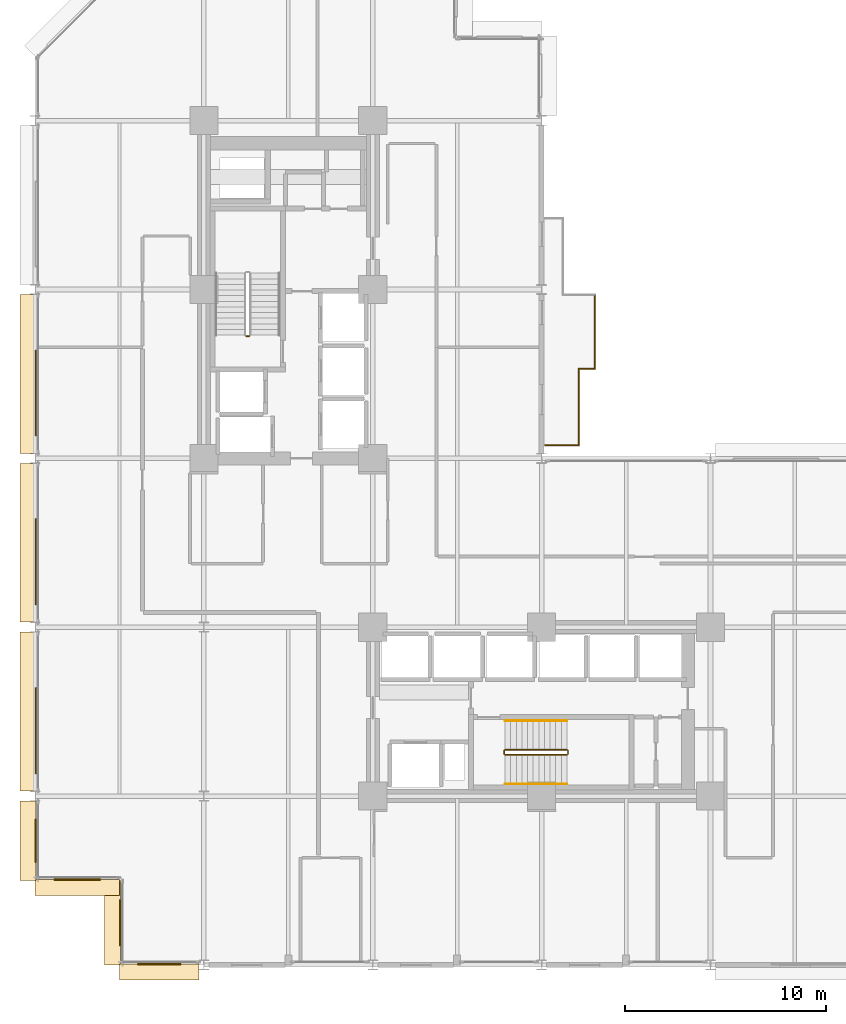
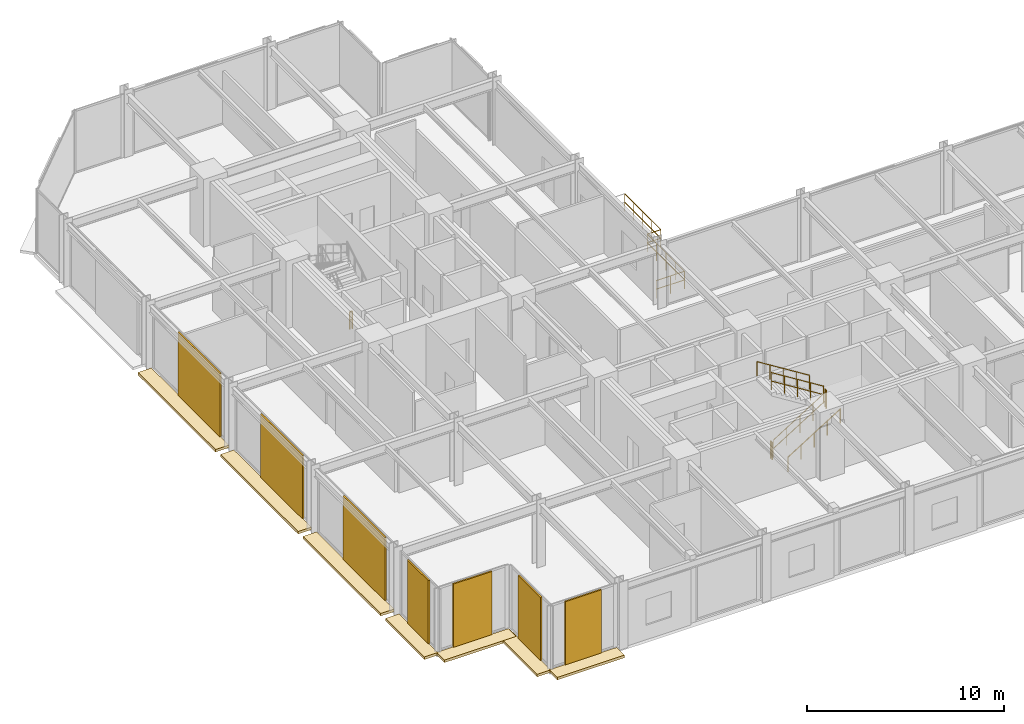
# One storey, part 23 of 25: 14 coverings, 11 railings.
"""IFC4 building model written with IfcOpenShell, lengths in metres."""

from ifc_helpers import new_model, si_unit, direction, frame, origin, origin_2d, place, context, subcontext, project, spatial, polyline, rectangle, circle, outline, extrude, material, layer, layer_set, type_object, element, save


model = new_model("IFC4")

# Units and contexts
model_context = context("Model", 3, precision=1e-05, world=origin(), true_north=direction((0.0, 1.0)))
body_context = subcontext(model_context, "Body", "Model", "MODEL_VIEW")
ifc_project = project(units=[si_unit("LENGTHUNIT", "METRE"), si_unit("AREAUNIT", "SQUARE_METRE"), si_unit("VOLUMEUNIT", "CUBIC_METRE"), si_unit("PLANEANGLEUNIT", "RADIAN"), si_unit("MASSUNIT", "GRAM", prefix="KILO")], contexts=[model_context])

# Site, building, storey
site_placement = place(None, origin())
site = spatial("IfcSite", under=ifc_project, at=site_placement, CompositionType="ELEMENT")
building_placement = place(site_placement, origin())
building = spatial("IfcBuilding", under=site, at=building_placement, Name="Nerrivon Quay Data Exchange", CompositionType="ELEMENT")
storey_placement = place(building_placement, frame((0.0, 0.0, 54.199951171875)))
storey = spatial("IfcBuildingStorey", under=building, at=storey_placement, Name="L12", CompositionType="ELEMENT", Elevation=54.199951171875)

# Coverings
ifc_material_1 = material(Name="Architectural terracotta ceramic", Category="masonry")
ifc_layer_1 = layer(ifc_material_1, 0.159912109375)
ifc_layer_set_1 = layer_set([ifc_layer_1], Name="Architectural terracotta ceramic")
covering_type_1 = type_object("IfcCoveringType", Name="COV-BLD-TERR", PredefinedType="CLADDING", material=ifc_layer_set_1)
covering_1_placement = place(storey_placement, frame((0.0, 0.0, -0.159912109375)))
element("IfcCovering", 1, at=covering_1_placement, inside=storey, type_object=covering_type_1, Name="L12 Horizontal Terracotta SOLAR SCREEN Blade", PredefinedType="CLADDING", context=body_context, shape_type="SweptSolid", body=[
    extrude(outline(polyline([(8.14990234375, 0.0400390625), (4.199951171875, 0.0400390625), (4.199951171875, -0.75), (8.14990234375, -0.75), (8.14990234375, 0.0400390625)])), origin(), (0.0, 0.0, 1.0), 0.159912109375),
])
covering_2_placement = place(storey_placement, frame((0.0, 0.0, -0.159912109375)))
element("IfcCovering", 2, at=covering_2_placement, inside=storey, type_object=covering_type_1, Name="L12 Horizontal Terracotta SOLAR SCREEN Blade", PredefinedType="CLADDING", context=body_context, shape_type="SweptSolid", body=[
    extrude(outline(polyline([(4.239990234375, 0.0), (4.239990234375, 4.199951171875), (3.449951171875, 4.199951171875), (3.449951171875, 0.0), (4.239990234375, 0.0)])), origin(), (0.0, 0.0, 1.0), 0.159912109375),
])
covering_3_placement = place(storey_placement, frame((0.0, 0.0, -0.159912109375)))
element("IfcCovering", 3, at=covering_3_placement, inside=storey, type_object=covering_type_1, Name="L12 Horizontal Terracotta SOLAR SCREEN Blade", PredefinedType="CLADDING", context=body_context, shape_type="SweptSolid", body=[
    extrude(outline(polyline([(4.199951171875, 4.239990234375), (0.0, 4.239990234375), (0.0, 3.449951171875), (4.199951171875, 3.449951171875), (4.199951171875, 4.239990234375)])), origin(), (0.0, 0.0, 1.0), 0.159912109375),
])
covering_4_placement = place(storey_placement, frame((0.0, 0.0, -0.159912109375)))
element("IfcCovering", 4, at=covering_4_placement, inside=storey, type_object=covering_type_1, Name="L12 Horizontal Terracotta SOLAR SCREEN Blade", PredefinedType="CLADDING", context=body_context, shape_type="SweptSolid", body=[
    extrude(outline(polyline([(0.0400390625, 4.199951171875), (0.0400390625, 8.14990234375), (-0.75, 8.14990234375), (-0.75, 4.199951171875), (0.0400390625, 4.199951171875)])), origin(), (0.0, 0.0, 1.0), 0.159912109375),
])
covering_5_placement = place(storey_placement, frame((0.0, 0.0, -0.159912109375)))
element("IfcCovering", 5, at=covering_5_placement, inside=storey, type_object=covering_type_1, Name="L12 Horizontal Terracotta SOLAR SCREEN Blade", PredefinedType="CLADDING", context=body_context, shape_type="SweptSolid", body=[
    extrude(outline(polyline([(0.0400390625, 8.64990234375), (0.0400390625, 16.550048828125), (-0.75, 16.550048828125), (-0.75, 8.64990234375), (0.0400390625, 8.64990234375)])), origin(), (0.0, 0.0, 1.0), 0.159912109375),
])
covering_6_placement = place(storey_placement, frame((0.0, 0.0, -0.159912109375)))
element("IfcCovering", 6, at=covering_6_placement, inside=storey, type_object=covering_type_1, Name="L12 Horizontal Terracotta SOLAR SCREEN Blade", PredefinedType="CLADDING", context=body_context, shape_type="SweptSolid", body=[
    extrude(outline(polyline([(0.0400390625, 17.050048828125), (0.0400390625, 24.949951171875), (-0.75, 24.949951171875), (-0.75, 17.050048828125), (0.0400390625, 17.050048828125)])), origin(), (0.0, 0.0, 1.0), 0.159912109375),
])
covering_7_placement = place(storey_placement, frame((0.0, 0.0, -0.159912109375)))
element("IfcCovering", 7, at=covering_7_placement, inside=storey, type_object=covering_type_1, Name="L12 Horizontal Terracotta SOLAR SCREEN Blade", PredefinedType="CLADDING", context=body_context, shape_type="SweptSolid", body=[
    extrude(outline(polyline([(0.0400390625, 25.449951171875), (0.0400390625, 33.35009765625), (-0.75, 33.35009765625), (-0.75, 25.449951171875), (0.0400390625, 25.449951171875)])), origin(), (0.0, 0.0, 1.0), 0.159912109375),
])
ifc_layer_2 = layer(ifc_material_1, 0.090087890625)
ifc_layer_set_2 = layer_set([ifc_layer_2], Name="Architectural terracotta ceramic")
covering_type_2 = type_object("IfcCoveringType", Name="COV-SCR-TERR", PredefinedType="CLADDING", material=ifc_layer_set_2)
covering_8_placement = place(storey_placement, frame((6.175048828125, 0.044921875, 0.0), z_axis=(0.0, 0.0, 1.0), x_axis=(-1.0, 0.0, 0.0)))
element("IfcCovering", 8, at=covering_8_placement, inside=storey, type_object=covering_type_2, Name="L12 Perforated Terracotta SOLAR SCREEN Cassette", PredefinedType="CLADDING", context=body_context, shape_type="SweptSolid", body=[
    extrude(rectangle(XDim=2.133056640625, YDim=0.090087890625, at=origin_2d()), origin(), (0.0, 0.0, 1.0), 3.925048828125),
])
for number, where, z_axis, x_axis, name in (
    (9, (4.2451171875, 2.10009765625, 0.0), (0.0, 0.0, 1.0), (0.0, 1.0, 0.0), "L12 Perforated Terracotta SOLAR SCREEN Cassette"),
    (10, (2.10009765625, 4.2451171875, 0.0), (0.0, 0.0, 1.0), (-1.0, 0.0, 0.0), "L12 Perforated Terracotta SOLAR SCREEN Cassette"),
):
    element("IfcCovering", number, at=place(storey_placement, frame(where, z_axis=z_axis, x_axis=x_axis)), inside=storey, type_object=covering_type_2, Name=name, PredefinedType="CLADDING", context=body_context, shape_type="SweptSolid", body=[
        extrude(rectangle(XDim=2.26806640625, YDim=0.090087890625, at=origin_2d()), origin(), (0.0, 0.0, 1.0), 3.925048828125),
    ])
covering_9_placement = place(storey_placement, frame((0.044921875, 6.175048828125, 0.0), z_axis=(0.0, 0.0, 1.0), x_axis=(0.0, 1.0, 0.0)))
element("IfcCovering", 11, at=covering_9_placement, inside=storey, type_object=covering_type_2, Name="L12 Perforated Terracotta SOLAR SCREEN Cassette", PredefinedType="CLADDING", context=body_context, shape_type="SweptSolid", body=[
    extrude(rectangle(XDim=2.133056640625, YDim=0.090087890625, at=origin_2d()), origin(), (0.0, 0.0, 1.0), 3.925048828125),
])
for number, where, z_axis, x_axis, name in (
    (12, (0.044921875, 11.652099609375, 0.0), (0.0, 0.0, 1.0), (0.0, 1.0, 0.0), "L12 Perforated Terracotta SOLAR SCREEN Cassette"),
    (13, (0.044921875, 20.052001953125, 0.0), (0.0, 0.0, 1.0), (0.0, 1.0, 0.0), "L12 Perforated Terracotta SOLAR SCREEN Cassette"),
    (14, (0.044921875, 28.451904296875, 0.0), (0.0, 0.0, 1.0), (0.0, 1.0, 0.0), "L12 Perforated Terracotta SOLAR SCREEN Cassette"),
):
    element("IfcCovering", number, at=place(storey_placement, frame(where, z_axis=z_axis, x_axis=x_axis)), inside=storey, type_object=covering_type_2, Name=name, PredefinedType="CLADDING", context=body_context, shape_type="SweptSolid", body=[
        extrude(rectangle(XDim=4.26611328125, YDim=0.090087890625, at=origin_2d()), origin(), (0.0, 0.0, 1.0), 3.925048828125),
    ])

# Railings
ifc_material_2 = material(Name="Steel Grade C350L0 (350 MPa)", Category="steel")
railing_type_1 = type_object("IfcRailingType", Name="RAIL-GUARD-GR2", PredefinedType="BALUSTRADE", material=ifc_material_2)
railing_1_placement = place(storey_placement, frame((27.0400390625, 29.659912109375, 0.0)))
element("IfcRailing", 15, at=railing_1_placement, inside=storey, type_object=railing_type_1, Name="L12 Verandah Balcony Guard 1.1 1", PredefinedType="BALUSTRADE", context=body_context, shape_type="SweptSolid", body=[
    extrude(circle(Radius=0.02392578125, at=origin_2d()), frame((0.0, 0.0, 1.09619140625), z_axis=(0.0, -1.0, 0.0), x_axis=(1.0, 0.0, 0.0)), (0.0, 0.0, 1.0), 3.7998046875),
    extrude(circle(Radius=0.02392578125, at=origin_2d()), frame((0.0, 0.0, 0.56005859375), z_axis=(0.0, -1.0, 0.0), x_axis=(1.0, 0.0, 0.0)), (0.0, 0.0, 1.0), 3.7998046875),
    extrude(circle(Radius=0.02099609375, at=origin_2d()), origin(), (0.0, 0.0, 1.0), 1.072021484375),
    extrude(circle(Radius=0.02099609375, at=origin_2d()), frame((0.0, -0.949951171875, 0.0)), (0.0, 0.0, 1.0), 1.072021484375),
    extrude(circle(Radius=0.02099609375, at=origin_2d()), frame((0.0, -1.89990234375, 0.0)), (0.0, 0.0, 1.0), 1.072021484375),
    extrude(circle(Radius=0.02099609375, at=origin_2d()), frame((0.0, -2.849853515625, 0.0)), (0.0, 0.0, 1.0), 1.072021484375),
    extrude(circle(Radius=0.02099609375, at=origin_2d()), frame((0.0, -3.7998046875, 0.0)), (0.0, 0.0, 1.0), 1.072021484375),
])
railing_2_placement = place(storey_placement, frame((27.0400390625, 25.860107421875, 0.0)))
element("IfcRailing", 16, at=railing_2_placement, inside=storey, type_object=railing_type_1, Name="L12 Verandah Balcony Guard 1.2 1", PredefinedType="BALUSTRADE", context=body_context, shape_type="SweptSolid", body=[
    extrude(circle(Radius=0.02392578125, at=origin_2d()), frame((0.0, 0.0, 1.09619140625), z_axis=(-1.0, 0.0, 0.0), x_axis=(0.0, -1.0, 0.0)), (0.0, 0.0, 1.0), 1.66015625),
    extrude(circle(Radius=0.02392578125, at=origin_2d()), frame((0.0, 0.0, 0.56005859375), z_axis=(-1.0, 0.0, 0.0), x_axis=(0.0, -1.0, 0.0)), (0.0, 0.0, 1.0), 1.66015625),
    extrude(circle(Radius=0.02099609375, at=origin_2d()), origin(), (0.0, 0.0, 1.0), 1.072021484375),
    extrude(circle(Radius=0.02099609375, at=origin_2d()), frame((-0.830078125, 0.0, 0.0)), (0.0, 0.0, 1.0), 1.072021484375),
    extrude(circle(Radius=0.02099609375, at=origin_2d()), frame((-1.66015625, 0.0, 0.0)), (0.0, 0.0, 1.0), 1.072021484375),
])
railing_3_placement = place(storey_placement, frame((27.840087890625, 33.340087890625, 0.0)))
element("IfcRailing", 17, at=railing_3_placement, inside=storey, type_object=railing_type_1, Name="L12 Verandah Balcony Guard 1.6 1", PredefinedType="BALUSTRADE", context=body_context, shape_type="SweptSolid", body=[
    extrude(circle(Radius=0.02392578125, at=origin_2d()), frame((0.0, 0.0, 1.09619140625), z_axis=(0.0, -1.0, 0.0), x_axis=(1.0, 0.0, 0.0)), (0.0, 0.0, 1.0), 3.68017578125),
    extrude(circle(Radius=0.02392578125, at=origin_2d()), frame((0.0, 0.0, 0.56005859375), z_axis=(0.0, -1.0, 0.0), x_axis=(1.0, 0.0, 0.0)), (0.0, 0.0, 1.0), 3.68017578125),
    extrude(circle(Radius=0.02099609375, at=origin_2d()), origin(), (0.0, 0.0, 1.0), 1.072021484375),
    extrude(circle(Radius=0.02099609375, at=origin_2d()), frame((0.0, -0.919921875, 0.0)), (0.0, 0.0, 1.0), 1.072021484375),
    extrude(circle(Radius=0.02099609375, at=origin_2d()), frame((0.0, -1.840087890625, 0.0)), (0.0, 0.0, 1.0), 1.072021484375),
    extrude(circle(Radius=0.02099609375, at=origin_2d()), frame((0.0, -2.76025390625, 0.0)), (0.0, 0.0, 1.0), 1.072021484375),
    extrude(circle(Radius=0.02099609375, at=origin_2d()), frame((0.0, -3.68017578125, 0.0)), (0.0, 0.0, 1.0), 1.072021484375),
])
railing_4_placement = place(storey_placement, frame((27.840087890625, 29.659912109375, 0.0)))
element("IfcRailing", 18, at=railing_4_placement, inside=storey, type_object=railing_type_1, Name="L12 Verandah Balcony Guard 1.7 1", PredefinedType="BALUSTRADE", context=body_context, shape_type="SweptSolid", body=[
    extrude(circle(Radius=0.02392578125, at=origin_2d()), frame((0.0, 0.0, 1.09619140625), z_axis=(-1.0, 0.0, 0.0), x_axis=(0.0, -1.0, 0.0)), (0.0, 0.0, 1.0), 0.800048828125),
    extrude(circle(Radius=0.02392578125, at=origin_2d()), frame((0.0, 0.0, 0.56005859375), z_axis=(-1.0, 0.0, 0.0), x_axis=(0.0, -1.0, 0.0)), (0.0, 0.0, 1.0), 0.800048828125),
    extrude(circle(Radius=0.02099609375, at=origin_2d()), origin(), (0.0, 0.0, 1.0), 1.072021484375),
    extrude(circle(Radius=0.02099609375, at=origin_2d()), frame((-0.800048828125, 0.0, 0.0)), (0.0, 0.0, 1.0), 1.072021484375),
])
railing_type_2 = type_object("IfcRailingType", Name="RAIL-HAND-HR1", PredefinedType="HANDRAIL", material=ifc_material_2)
railing_5_placement = place(storey_placement, frame((23.3798828125, 9.0, 0.175048828125)))
element("IfcRailing", 19, at=railing_5_placement, inside=storey, type_object=railing_type_2, Name="L12 ST02 stair handrail 1", PredefinedType="HANDRAIL", context=body_context, shape_type="SweptSolid", body=[
    extrude(circle(Radius=0.02392578125, at=origin_2d()), frame((0.0, 0.0, 0.8759765625), z_axis=(0.847998304005, 0.0, 0.529998940003), x_axis=(0.0, 1.0, 0.0)), (0.0, 0.0, 1.0), 3.632080078125),
    extrude(circle(Radius=0.02099609375, at=origin_2d()), origin(), (0.0, 0.0, 1.0), 0.851806640625),
    extrude(circle(Radius=0.02099609375, at=origin_2d()), frame((0.77001953125, 0.0, 0.481201171875)), (0.0, 0.0, 1.0), 0.851806640625),
    extrude(circle(Radius=0.02099609375, at=origin_2d()), frame((1.5400390625, 0.0, 0.96240234375)), (0.0, 0.0, 1.0), 0.851806640625),
    extrude(circle(Radius=0.02099609375, at=origin_2d()), frame((2.31005859375, 0.0, 1.44384765625)), (0.0, 0.0, 1.0), 0.851806640625),
    extrude(circle(Radius=0.02099609375, at=origin_2d()), frame((3.080078125, 0.0, 1.925048828125)), (0.0, 0.0, 1.0), 0.851806640625),
])
railing_6_placement = place(storey_placement, frame((26.4599609375, 12.14990234375, 2.275146484375)))
element("IfcRailing", 20, at=railing_6_placement, inside=storey, type_object=railing_type_2, Name="L12 ST02 stair handrail 2", PredefinedType="HANDRAIL", context=body_context, shape_type="SweptSolid", body=[
    extrude(circle(Radius=0.02392578125, at=origin_2d()), frame((0.0, 0.0, 0.8759765625), z_axis=(-0.848028513186, 0.0, 0.529950602248), x_axis=(0.0, -1.0, 0.0)), (0.0, 0.0, 1.0), 3.632080078125),
    extrude(circle(Radius=0.02099609375, at=origin_2d()), origin(), (0.0, 0.0, 1.0), 0.851806640625),
    extrude(circle(Radius=0.02099609375, at=origin_2d()), frame((-0.77001953125, 0.0, 0.481201171875)), (0.0, 0.0, 1.0), 0.851806640625),
    extrude(circle(Radius=0.02099609375, at=origin_2d()), frame((-1.5400390625, 0.0, 0.96240234375)), (0.0, 0.0, 1.0), 0.851806640625),
    extrude(circle(Radius=0.02099609375, at=origin_2d()), frame((-2.31005859375, 0.0, 1.443603515625)), (0.0, 0.0, 1.0), 0.851806640625),
    extrude(circle(Radius=0.02099609375, at=origin_2d()), frame((-3.080078125, 0.0, 1.9248046875)), (0.0, 0.0, 1.0), 0.851806640625),
])
railing_type_3 = type_object("IfcRailingType", Name="RAIL-STAIR-GR1", PredefinedType="BALUSTRADE", material=ifc_material_2)
railing_7_placement = place(storey_placement, frame((10.64990234375, 31.280029296875, 0.0)))
element("IfcRailing", 21, at=railing_7_placement, inside=storey, type_object=railing_type_3, Name="L12 ST01 stair guard 4", PredefinedType="BALUSTRADE", context=body_context, shape_type="SweptSolid", body=[
    extrude(circle(Radius=0.02392578125, at=origin_2d()), frame((0.0, 0.0, 1.076171875), z_axis=(-1.0, 0.0, 0.0), x_axis=(0.0, -1.0, 0.0)), (0.0, 0.0, 1.0), 0.14990234375),
    extrude(circle(Radius=0.02392578125, at=origin_2d()), frame((0.0, 0.0, 0.550048828125), z_axis=(-1.0, 0.0, 0.0), x_axis=(0.0, -1.0, 0.0)), (0.0, 0.0, 1.0), 0.14990234375),
    extrude(circle(Radius=0.02099609375, at=origin_2d()), origin(), (0.0, 0.0, 1.0), 1.052001953125),
    extrude(circle(Radius=0.02099609375, at=origin_2d()), frame((-0.14990234375, 0.0, 0.0)), (0.0, 0.0, 1.0), 1.052001953125),
])
railing_8_placement = place(storey_placement, frame((23.3798828125, 10.449951171875, 0.175048828125)))
element("IfcRailing", 22, at=railing_8_placement, inside=storey, type_object=railing_type_3, Name="L12 ST02 stair guard 1", PredefinedType="BALUSTRADE", context=body_context, shape_type="SweptSolid", body=[
    extrude(circle(Radius=0.02392578125, at=origin_2d()), frame((0.0, 0.0, 1.076171875), z_axis=(0.847998304005, 0.0, 0.529998940003), x_axis=(0.0, 1.0, 0.0)), (0.0, 0.0, 1.0), 3.632080078125),
    extrude(circle(Radius=0.02392578125, at=origin_2d()), frame((0.0, 0.0, 0.550048828125), z_axis=(0.847998304005, 0.0, 0.529998940003), x_axis=(0.0, 1.0, 0.0)), (0.0, 0.0, 1.0), 3.632080078125),
    extrude(circle(Radius=0.02099609375, at=origin_2d()), origin(), (0.0, 0.0, 1.0), 1.052001953125),
    extrude(circle(Radius=0.02099609375, at=origin_2d()), frame((0.77001953125, 0.0, 0.481201171875)), (0.0, 0.0, 1.0), 1.052001953125),
    extrude(circle(Radius=0.02099609375, at=origin_2d()), frame((1.5400390625, 0.0, 0.96240234375)), (0.0, 0.0, 1.0), 1.052001953125),
    extrude(circle(Radius=0.02099609375, at=origin_2d()), frame((2.31005859375, 0.0, 1.44384765625)), (0.0, 0.0, 1.0), 1.052001953125),
    extrude(circle(Radius=0.02099609375, at=origin_2d()), frame((3.080078125, 0.0, 1.925048828125)), (0.0, 0.0, 1.0), 1.052001953125),
])
railing_9_placement = place(storey_placement, frame((26.510009765625, 10.5, 2.10009765625)))
element("IfcRailing", 23, at=railing_9_placement, inside=storey, type_object=railing_type_3, Name="L12 ST02 stair guard 2", PredefinedType="BALUSTRADE", context=body_context, shape_type="SweptSolid", body=[
    extrude(circle(Radius=0.02392578125, at=origin_2d()), frame((0.0, 0.0, 1.076171875), z_axis=(0.0, 1.0, 0.0), x_axis=(-1.0, 0.0, 0.0)), (0.0, 0.0, 1.0), 0.14990234375),
    extrude(circle(Radius=0.02392578125, at=origin_2d()), frame((0.0, 0.0, 0.550048828125), z_axis=(0.0, 1.0, 0.0), x_axis=(-1.0, 0.0, 0.0)), (0.0, 0.0, 1.0), 0.14990234375),
    extrude(circle(Radius=0.02099609375, at=origin_2d()), origin(), (0.0, 0.0, 1.0), 1.052001953125),
    extrude(circle(Radius=0.02099609375, at=origin_2d()), frame((0.0, 0.14990234375, 0.0)), (0.0, 0.0, 1.0), 1.052001953125),
])
railing_10_placement = place(storey_placement, frame((26.4599609375, 10.699951171875, 2.275146484375)))
element("IfcRailing", 24, at=railing_10_placement, inside=storey, type_object=railing_type_3, Name="L12 ST02 stair guard 3", PredefinedType="BALUSTRADE", context=body_context, shape_type="SweptSolid", body=[
    extrude(circle(Radius=0.02392578125, at=origin_2d()), frame((0.0, 0.0, 1.076171875), z_axis=(-0.848028513186, 0.0, 0.529950602248), x_axis=(0.0, -1.0, 0.0)), (0.0, 0.0, 1.0), 3.632080078125),
    extrude(circle(Radius=0.02392578125, at=origin_2d()), frame((0.0, 0.0, 0.550048828125), z_axis=(-0.848028513186, 0.0, 0.529950602248), x_axis=(0.0, -1.0, 0.0)), (0.0, 0.0, 1.0), 3.632080078125),
    extrude(circle(Radius=0.02099609375, at=origin_2d()), origin(), (0.0, 0.0, 1.0), 1.052001953125),
    extrude(circle(Radius=0.02099609375, at=origin_2d()), frame((-0.77001953125, 0.0, 0.481201171875)), (0.0, 0.0, 1.0), 1.052001953125),
    extrude(circle(Radius=0.02099609375, at=origin_2d()), frame((-1.5400390625, 0.0, 0.96240234375)), (0.0, 0.0, 1.0), 1.052001953125),
    extrude(circle(Radius=0.02099609375, at=origin_2d()), frame((-2.31005859375, 0.0, 1.443603515625)), (0.0, 0.0, 1.0), 1.052001953125),
    extrude(circle(Radius=0.02099609375, at=origin_2d()), frame((-3.080078125, 0.0, 1.9248046875)), (0.0, 0.0, 1.0), 1.052001953125),
])
railing_11_placement = place(storey_placement, frame((23.330078125, 10.5, 0.0)))
element("IfcRailing", 25, at=railing_11_placement, inside=storey, type_object=railing_type_3, Name="L12 ST02 stair guard 4", PredefinedType="BALUSTRADE", context=body_context, shape_type="SweptSolid", body=[
    extrude(circle(Radius=0.02392578125, at=origin_2d()), frame((0.0, 0.0, 1.076171875), z_axis=(0.0, 1.0, 0.0), x_axis=(-1.0, 0.0, 0.0)), (0.0, 0.0, 1.0), 0.14990234375),
    extrude(circle(Radius=0.02392578125, at=origin_2d()), frame((0.0, 0.0, 0.550048828125), z_axis=(0.0, 1.0, 0.0), x_axis=(-1.0, 0.0, 0.0)), (0.0, 0.0, 1.0), 0.14990234375),
    extrude(circle(Radius=0.02099609375, at=origin_2d()), origin(), (0.0, 0.0, 1.0), 1.052001953125),
    extrude(circle(Radius=0.02099609375, at=origin_2d()), frame((0.0, 0.14990234375, 0.0)), (0.0, 0.0, 1.0), 1.052001953125),
])

save(model, "model.ifc")
